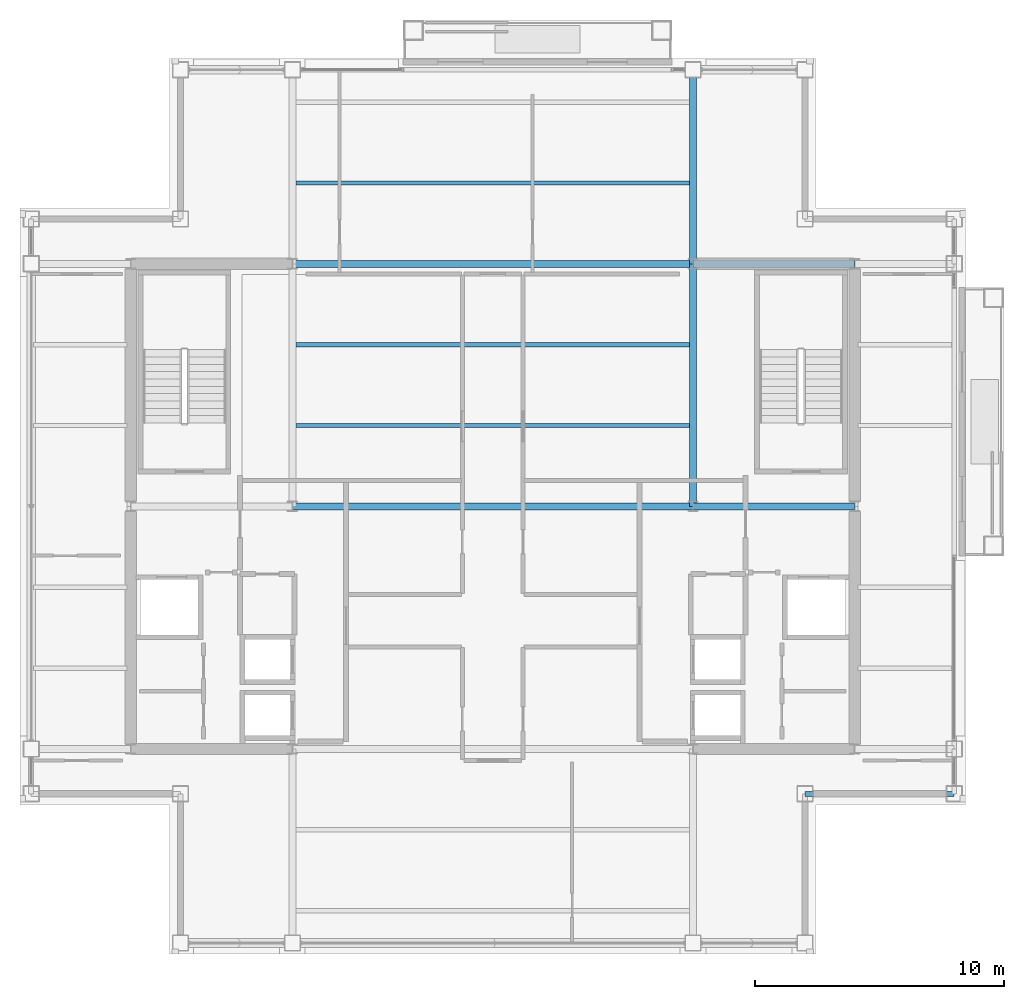
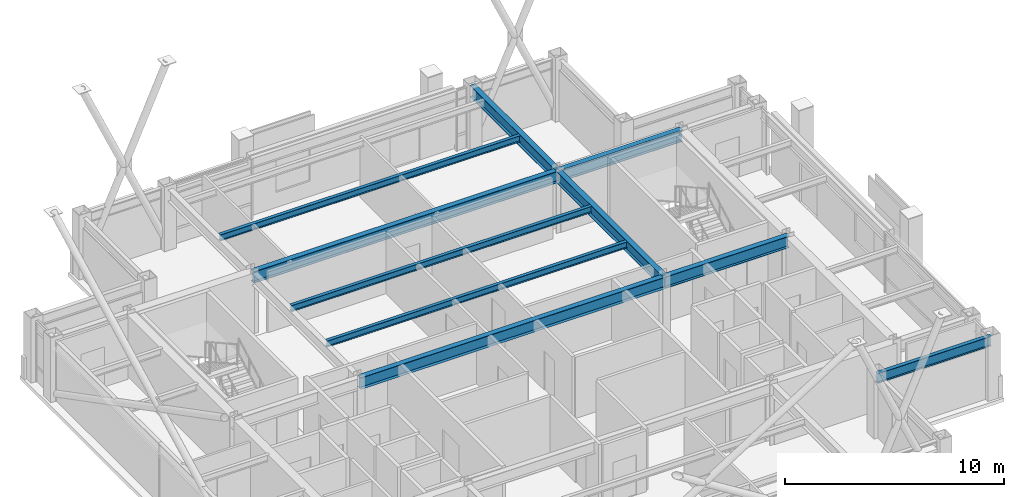
# One storey, part 13 of 28: 10 beams.
"""IFC4 building model written with IfcOpenShell, lengths in metres."""

import ifcopenshell
import ifcopenshell.guid

model = None  # the IFC model being written
_history = None  # IfcOwnerHistory: only IFC2X3 demands one
_inside = {}  # id of a spatial element -> (the spatial element, [elements in it])
_under = {}  # id of a project, library or spatial element -> (it, [spatial elements below it])
_declared = {}  # id of a project -> (the project, [libraries it declares])
_typed = {}  # id of a type object -> (the type object, [elements of that type])
_made_of = {}  # id of a material, layer set ... -> (it, [elements and type objects made of it])


def new_model(schema):
    """Start an empty IFC model of exactly this schema.

    Asked for "IFC4X3", IfcOpenShell would pick the latest addendum, in which some entities
    have other attributes; the version numbers below select the first issue.
    IFC2X3 requires an IfcOwnerHistory on every rooted entity: one is made here for all.
    """
    global model, _history
    if schema == "IFC4X3":
        model = ifcopenshell.file(schema_version=(4, 3, 0, 0))
    else:
        model = ifcopenshell.file(schema=schema)
    _inside.clear()
    _under.clear()
    _declared.clear()
    _typed.clear()
    _made_of.clear()
    _history = None
    if model.schema == "IFC2X3":
        org = make("IfcOrganization", Name="unknown")
        user = make(
            "IfcPersonAndOrganization",
            ThePerson=make("IfcPerson", FamilyName="unknown"),
            TheOrganization=org,
        )
        app = make(
            "IfcApplication",
            ApplicationDeveloper=org,
            Version="unknown",
            ApplicationFullName="unknown",
            ApplicationIdentifier="unknown",
        )
        _history = make(
            "IfcOwnerHistory",
            OwningUser=user,
            OwningApplication=app,
            ChangeAction="ADDED",
            CreationDate=0,
        )
    return model


def make(cls, **values):
    """One entity of the class cls with the attributes given. An attribute that is None is left unset."""
    return model.create_entity(
        cls, **{name: value for name, value in values.items() if value is not None}
    )


def rooted(cls, **values):
    """An entity with a GlobalId (a new one), such as an element, a storey or a relation."""
    return make(cls, GlobalId=ifcopenshell.guid.new(), OwnerHistory=_history, **values)


def si_unit(unit_type, name, prefix=None):
    """IfcSIUnit, for example si_unit("LENGTHUNIT", "METRE", prefix="MILLI")."""
    return make("IfcSIUnit", UnitType=unit_type, Prefix=prefix, Name=name)


def assignment(units):
    """IfcUnitAssignment: the units of a project."""
    return None if units is None else make("IfcUnitAssignment", Units=units)


def point(xyz):
    """IfcCartesianPoint."""
    return None if xyz is None else make("IfcCartesianPoint", Coordinates=xyz)


def direction(xyz):
    """IfcDirection."""
    return None if xyz is None else make("IfcDirection", DirectionRatios=xyz)


def frame(location, z_axis=None, x_axis=None):
    """IfcAxis2Placement3D, a coordinate frame: its origin and axes. An axis left out is left unset."""
    return make(
        "IfcAxis2Placement3D",
        Location=point(location),
        Axis=direction(z_axis),
        RefDirection=direction(x_axis),
    )


def frame_2d(location, x_axis=None):
    """IfcAxis2Placement2D, a coordinate frame in the plane: its origin and x axis."""
    return make(
        "IfcAxis2Placement2D", Location=point(location), RefDirection=direction(x_axis)
    )


def origin():
    """The frame at (0, 0, 0) with its axes left unset."""
    return frame((0.0, 0.0, 0.0))


def origin_2d():
    """The frame at (0, 0) in the plane with its x axis left unset."""
    return frame_2d((0.0, 0.0))


def place(relative_to, where):
    """IfcLocalPlacement: puts the frame where relative to a parent placement (None: the world)."""
    return make(
        "IfcLocalPlacement", PlacementRelTo=relative_to, RelativePlacement=where
    )


def context(
    kind, dimensions, precision=None, world=None, true_north=None, identifier=None
):
    """IfcGeometricRepresentationContext, for example the 3D "Model" context."""
    return make(
        "IfcGeometricRepresentationContext",
        ContextIdentifier=identifier,
        ContextType=kind,
        CoordinateSpaceDimension=dimensions,
        Precision=precision,
        WorldCoordinateSystem=world,
        TrueNorth=true_north,
    )


def subcontext(parent, identifier, kind, view, scale=None):
    """IfcGeometricRepresentationSubContext, for example "Body" below "Model"."""
    return make(
        "IfcGeometricRepresentationSubContext",
        ContextIdentifier=identifier,
        ContextType=kind,
        ParentContext=parent,
        TargetScale=scale,
        TargetView=view,
    )


def project(units=None, contexts=None):
    """IfcProject with its units and contexts."""
    return rooted(
        "IfcProject",
        Name="project",
        RepresentationContexts=contexts,
        UnitsInContext=assignment(units),
    )


def spatial(cls, under=None, at=None, **own):
    """A site, building, storey or space (cls), placed at a placement, below another one or the project."""
    s = rooted(cls, ObjectPlacement=at, **own)
    if under is not None:
        _under.setdefault(under.id(), (under, []))[1].append(s)
    return s


def profile(cls, at=None, kind="AREA", **sizes):
    """A parametric profile (cls). Its sizes go by their IFC names, for example OverallWidth=200.0."""
    return make(cls, ProfileType=kind, Position=at, **sizes)


def i_section(**sizes):
    """IfcIShapeProfileDef."""
    return profile("IfcIShapeProfileDef", **sizes)


def extrude(swept, where, along, depth):
    """IfcExtrudedAreaSolid: the profile swept, set in the frame where, extruded along a direction by depth."""
    return make(
        "IfcExtrudedAreaSolid",
        SweptArea=swept,
        Position=where,
        ExtrudedDirection=direction(along),
        Depth=depth,
    )


def shape(context_of_items, identifier, shape_type, items):
    """IfcShapeRepresentation: the items that make up one representation, for example the "Body"."""
    return make(
        "IfcShapeRepresentation",
        ContextOfItems=context_of_items,
        RepresentationIdentifier=identifier,
        RepresentationType=shape_type,
        Items=items,
    )


def material(Name=None, Category=None):
    """IfcMaterial."""
    return make("IfcMaterial", Name=Name, Category=Category)


def material_profile(
    of_material, cross_section, Name=None, Category=None, Priority=None
):
    """IfcMaterialProfile: a cross section and its material."""
    return make(
        "IfcMaterialProfile",
        Name=Name,
        Material=of_material,
        Profile=cross_section,
        Priority=Priority,
        Category=Category,
    )


def profile_set(profiles, Name=None, composite=None):
    """IfcMaterialProfileSet."""
    return make(
        "IfcMaterialProfileSet",
        Name=Name,
        MaterialProfiles=profiles,
        CompositeProfile=composite,
    )


def made_of(thing, what):
    """Note that an element or type object is made of a material, layer set ...; save() writes the relation."""
    if what is not None:
        _made_of.setdefault(what.id(), (what, []))[1].append(thing)
    return thing


def type_object(cls, material=None, **own):
    """A type object (cls), such as IfcWallType, which elements share."""
    return made_of(rooted(cls, **own), material)


def element(
    cls,
    number,
    at=None,
    inside=None,
    cuts=None,
    type_object=None,
    material=None,
    context=None,
    identifier="Body",
    shape_type=None,
    held_by="IfcProductDefinitionShape",
    body=None,
    shapes=None,
    **own,
):
    """One element of the class cls, such as IfcWall. Its Tag is "e" and its number.

    at: its placement. inside: the storey or other place that contains it. cuts: it is an
    opening in that element (IfcRelVoidsElement). A single representation is given by context,
    identifier, shape_type and body (its items); several are given by shapes. held_by: the class
    of the entity that holds the representations. save() writes the other relations.
    """
    e = rooted(cls, Tag="e%d" % number, ObjectPlacement=at, **own)
    if body is not None:
        shapes = [shape(context, identifier, shape_type, body)]
    if shapes is not None:
        e.Representation = make(held_by, Representations=shapes)
    if inside is not None:
        _inside.setdefault(inside.id(), (inside, []))[1].append(e)
    if cuts is not None:
        rooted(
            "IfcRelVoidsElement", RelatingBuildingElement=cuts, RelatedOpeningElement=e
        )
    if type_object is not None:
        _typed.setdefault(type_object.id(), (type_object, []))[1].append(e)
    return made_of(e, material)


def aggregate(whole, parts):
    """IfcRelAggregates: a whole, such as a stair, and the parts it consists of."""
    return rooted("IfcRelAggregates", RelatingObject=whole, RelatedObjects=parts)


def save(model, path):
    """Write the relations noted so far, then the file.

    IfcRelAggregates (storeys below a building ...), IfcRelContainedInSpatialStructure (elements
    in a storey), IfcRelDefinesByType, IfcRelAssociatesMaterial and IfcRelDeclares: one each for
    every whole, place, type object, material and project.
    """
    for whole, parts in _under.values():
        aggregate(whole, parts)
    for where, things in _inside.values():
        rooted(
            "IfcRelContainedInSpatialStructure",
            RelatedElements=things,
            RelatingStructure=where,
        )
    for kind, things in _typed.values():
        rooted("IfcRelDefinesByType", RelatedObjects=things, RelatingType=kind)
    for what, things in _made_of.values():
        rooted("IfcRelAssociatesMaterial", RelatedObjects=things, RelatingMaterial=what)
    for by, libraries in _declared.values():
        rooted("IfcRelDeclares", RelatingContext=by, RelatedDefinitions=libraries)
    model.write(path)


model = new_model("IFC4")

# Units and contexts
model_context = context("Model", 3, precision=1e-05, world=origin(), true_north=direction((0.0, 1.0)))
body_context = subcontext(model_context, "Body", "Model", "MODEL_VIEW")
ifc_project = project(units=[si_unit("LENGTHUNIT", "METRE"), si_unit("AREAUNIT", "SQUARE_METRE"), si_unit("VOLUMEUNIT", "CUBIC_METRE"), si_unit("PLANEANGLEUNIT", "RADIAN"), si_unit("MASSUNIT", "GRAM", prefix="KILO")], contexts=[model_context])

# Site, building, storey
site_placement = place(None, origin())
site = spatial("IfcSite", under=ifc_project, at=site_placement, CompositionType="ELEMENT")
building_placement = place(site_placement, origin())
building = spatial("IfcBuilding", under=site, at=building_placement, Name="Brelmoor Portico Tower", CompositionType="ELEMENT")
storey_placement = place(building_placement, frame((0.0, 0.0, 225.60009765625)))
storey = spatial("IfcBuildingStorey", under=building, at=storey_placement, Name="L59", CompositionType="ELEMENT", Elevation=225.60009765625)

# Beams
ifc_material = material(Name="Steel Q355B", Category="steel")
ifc_material_profile_1 = material_profile(ifc_material, i_section(OverallWidth=0.175048828125, OverallDepth=0.35009765625, WebThickness=0.007080078125, FlangeThickness=0.010986328125, at=origin_2d()), Name="HN 350x175x7x11")
ifc_profile_set_1 = profile_set([ifc_material_profile_1], Name="Steel Q355B")
beam_type_1 = type_object("IfcBeamType", Name="BM-JS-350", PredefinedType="JOIST", material=ifc_profile_set_1)
for number, where, z_axis, x_axis, name in (
    (1, (-7.909912109375, 3.25, 3.224853515625), (1.0, 0.0, 0.0), (0.0, 1.0, 0.0), "L59 Secondary Composite Joist JS-C03"),
    (2, (-7.909912109375, 6.5, 3.224853515625), (1.0, 0.0, 0.0), (0.0, 1.0, 0.0), "L59 Secondary Composite Joist JS-C04"),
    (3, (-7.909912109375, 13.0, 3.224853515625), (1.0, 0.0, 0.0), (0.0, 1.0, 0.0), "L59 Secondary Composite Joist JS-C05"),
):
    element("IfcBeam", number, at=place(storey_placement, frame(where, z_axis=z_axis, x_axis=x_axis)), inside=storey, type_object=beam_type_1, Name=name, PredefinedType="JOIST", context=body_context, shape_type="SweptSolid", body=[
        extrude(i_section(OverallWidth=0.175048828125, OverallDepth=0.35009765625, WebThickness=0.007080078125, FlangeThickness=0.010986328125, at=origin_2d()), origin(), (0.0, 0.0, 1.0), 15.81982421875),
    ])
ifc_material_profile_2 = material_profile(ifc_material, i_section(OverallWidth=0.280029296875, OverallDepth=0.64990234375, WebThickness=0.012939453125, FlangeThickness=0.02197265625, at=origin_2d()), Name="HN 650x280x13x22")
ifc_profile_set_2 = profile_set([ifc_material_profile_2], Name="Steel Q355B")
beam_type_2 = type_object("IfcBeamType", Name="BM-PG-650", PredefinedType="BEAM", material=ifc_profile_set_2)
beam_1_placement = place(storey_placement, frame((8.050048828125, 0.0, 3.074951171875), z_axis=(0.0, 1.0, 0.0), x_axis=(-1.0, 0.0, 0.0)))
element("IfcBeam", 4, at=beam_1_placement, inside=storey, type_object=beam_type_2, Name="L59 Primary Floor Girder PG-07", PredefinedType="BEAM", context=body_context, shape_type="SweptSolid", body=[
    extrude(i_section(OverallWidth=0.280029296875, OverallDepth=0.64990234375, WebThickness=0.012939453125, FlangeThickness=0.02197265625, at=origin_2d()), origin(), (0.0, 0.0, 1.0), 9.75),
])
beam_2_placement = place(storey_placement, frame((8.050048828125, 9.75, 3.074951171875), z_axis=(0.0, 1.0, 0.0), x_axis=(-1.0, 0.0, 0.0)))
element("IfcBeam", 5, at=beam_2_placement, inside=storey, type_object=beam_type_2, Name="L59 Primary Floor Girder PG-08", PredefinedType="BEAM", context=body_context, shape_type="SweptSolid", body=[
    extrude(i_section(OverallWidth=0.280029296875, OverallDepth=0.64990234375, WebThickness=0.012939453125, FlangeThickness=0.02197265625, at=origin_2d()), origin(), (0.0, 0.0, 1.0), 7.800048828125),
])
beam_3_placement = place(storey_placement, frame((-8.050048828125, 0.0, 3.074951171875), z_axis=(1.0, 0.0, 0.0), x_axis=(0.0, 1.0, 0.0)))
element("IfcBeam", 6, at=beam_3_placement, inside=storey, type_object=beam_type_2, Name="L59 Primary Floor Girder PG-17", PredefinedType="BEAM", context=body_context, shape_type="SweptSolid", body=[
    extrude(i_section(OverallWidth=0.280029296875, OverallDepth=0.64990234375, WebThickness=0.012939453125, FlangeThickness=0.02197265625, at=origin_2d()), origin(), (0.0, 0.0, 1.0), 16.10009765625),
])
beam_4_placement = place(storey_placement, frame((8.050048828125, 0.0, 3.074951171875), z_axis=(1.0, 0.0, 0.0), x_axis=(0.0, 1.0, 0.0)))
element("IfcBeam", 7, at=beam_4_placement, inside=storey, type_object=beam_type_2, Name="L59 Primary Floor Girder PG-18", PredefinedType="BEAM", context=body_context, shape_type="SweptSolid", body=[
    extrude(i_section(OverallWidth=0.280029296875, OverallDepth=0.64990234375, WebThickness=0.012939453125, FlangeThickness=0.02197265625, at=origin_2d()), origin(), (0.0, 0.0, 1.0), 6.5),
])
beam_5_placement = place(storey_placement, frame((-8.050048828125, 9.75, 3.074951171875), z_axis=(1.0, 0.0, 0.0), x_axis=(0.0, 1.0, 0.0)))
element("IfcBeam", 8, at=beam_5_placement, inside=storey, type_object=beam_type_2, Name="L59 Primary Floor Girder PG-21", PredefinedType="BEAM", context=body_context, shape_type="SweptSolid", body=[
    extrude(i_section(OverallWidth=0.280029296875, OverallDepth=0.64990234375, WebThickness=0.012939453125, FlangeThickness=0.02197265625, at=origin_2d()), origin(), (0.0, 0.0, 1.0), 16.10009765625),
])
beam_6_placement = place(storey_placement, frame((8.050048828125, 9.75, 3.074951171875), z_axis=(1.0, 0.0, 0.0), x_axis=(0.0, 1.0, 0.0)))
element("IfcBeam", 9, at=beam_6_placement, inside=storey, type_object=beam_type_2, Name="L59 Primary Floor Girder PG-22", PredefinedType="BEAM", context=body_context, shape_type="SweptSolid", body=[
    extrude(i_section(OverallWidth=0.280029296875, OverallDepth=0.64990234375, WebThickness=0.012939453125, FlangeThickness=0.02197265625, at=origin_2d()), origin(), (0.0, 0.0, 1.0), 6.5),
])
ifc_material_profile_3 = material_profile(ifc_material, i_section(OverallWidth=0.199951171875, OverallDepth=0.550048828125, WebThickness=0.010009765625, FlangeThickness=0.01611328125, at=origin_2d()), Name="HN 550x200x10x16")
ifc_profile_set_3 = profile_set([ifc_material_profile_3], Name="Steel Q355B")
beam_type_3 = type_object("IfcBeamType", Name="BM-SP-550", PredefinedType="SPANDREL", material=ifc_profile_set_3)
beam_7_placement = place(storey_placement, frame((12.550048828125, -11.550048828125, 3.125), z_axis=(1.0, 0.0, 0.0), x_axis=(0.0, 1.0, 0.0)))
element("IfcBeam", 10, at=beam_7_placement, inside=storey, type_object=beam_type_3, Name="L59 Perimeter Spandrel Beam SP-05", PredefinedType="SPANDREL", context=body_context, shape_type="SweptSolid", body=[
    extrude(i_section(OverallWidth=0.199951171875, OverallDepth=0.550048828125, WebThickness=0.010009765625, FlangeThickness=0.01611328125, at=origin_2d()), origin(), (0.0, 0.0, 1.0), 6.0),
])

save(model, "model.ifc")
